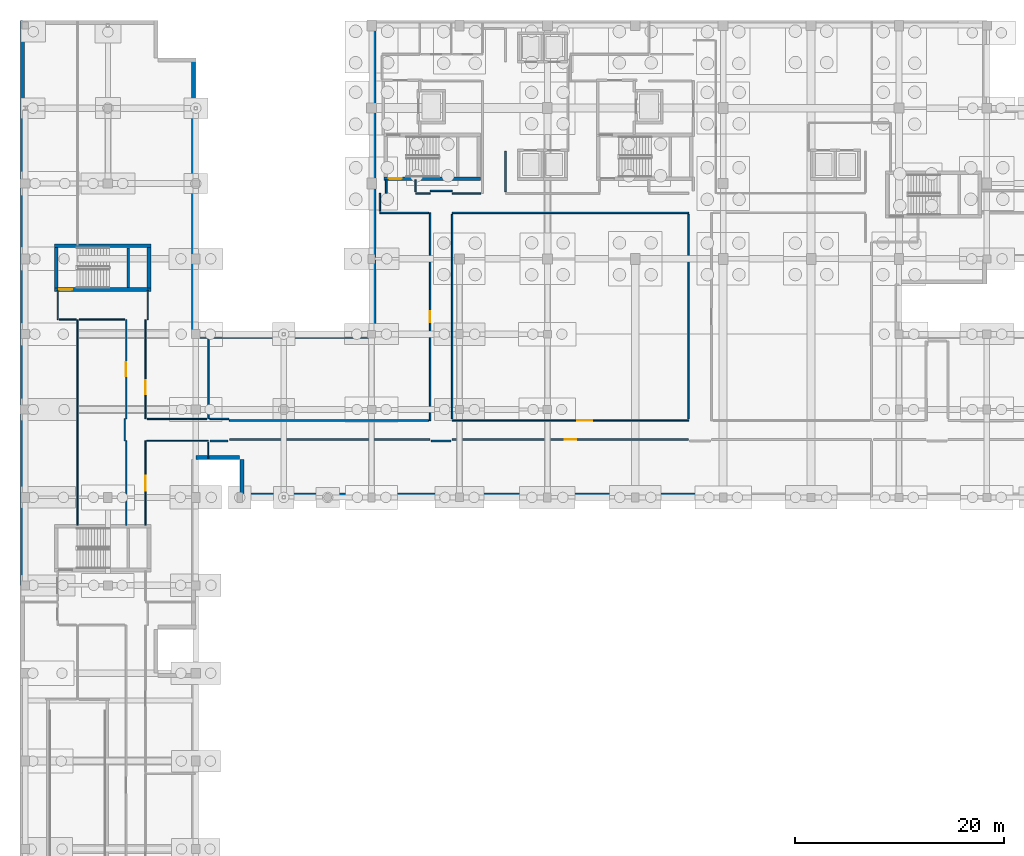
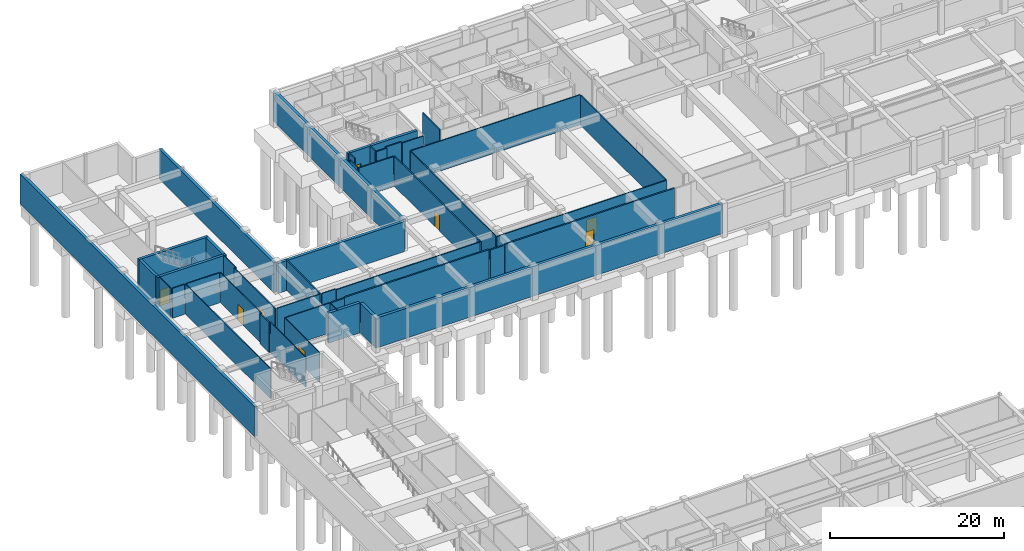
# One storey, part 29 of 42: 46 walls, 8 doors, 8 openings.
"""IFC4 building model written with IfcOpenShell, lengths in metres."""

from ifc_helpers import new_model, si_unit, direction, frame, frame_2d, origin, place, context, subcontext, project, spatial, rectangle, extrude, material, layer, layer_set, type_object, element, fill, save


model = new_model("IFC4")

# Units and contexts
model_context = context("Model", 3, precision=1e-05, world=origin(), true_north=direction((0.0, 1.0)))
body_context = subcontext(model_context, "Body", "Model", "MODEL_VIEW")
ifc_project = project(units=[si_unit("LENGTHUNIT", "METRE"), si_unit("AREAUNIT", "SQUARE_METRE"), si_unit("VOLUMEUNIT", "CUBIC_METRE"), si_unit("PLANEANGLEUNIT", "RADIAN"), si_unit("MASSUNIT", "GRAM", prefix="KILO")], contexts=[model_context])

# Site, building, storey
site_placement = place(None, origin())
site = spatial("IfcSite", under=ifc_project, at=site_placement, CompositionType="ELEMENT")
building_placement = place(site_placement, origin())
building = spatial("IfcBuilding", under=site, at=building_placement, Name="Quendrovan Civic Courthouse", CompositionType="ELEMENT")
storey_placement = place(building_placement, frame((0.0, 0.0, -4.5)))
storey = spatial("IfcBuildingStorey", under=building, at=storey_placement, Name="B1", CompositionType="ELEMENT", Elevation=-4.5)

# Walls
ifc_material_1 = material(Name="Concrete C35/45", Category="concrete")
ifc_layer_1 = layer(ifc_material_1, 0.3798828125, Name="Concrete C35/45")
ifc_layer_set_1 = layer_set([ifc_layer_1], Name="Concrete C35/45")
wall_type_1 = type_object("IfcWallType", Name="WL-BSM-RET380", PredefinedType="SOLIDWALL", material=ifc_layer_set_1)
wall_1_placement = place(storey_placement, frame((0.219970703125, 56.39990234375, 0.0), z_axis=(0.0, 0.0, 1.0), x_axis=(0.0, 1.0, 0.0)))
element("IfcWall", 1, at=wall_1_placement, inside=storey, type_object=wall_type_1, Name="B1 Perimeter Retaining Wall 001", PredefinedType="SOLIDWALL", context=body_context, shape_type="SweptSolid", body=[
    extrude(rectangle(XDim=54.0, YDim=0.3798828125, at=frame_2d((27.0, 0.0))), origin(), (0.0, 0.0, 1.0), 4.219970703125),
])
wall_2_placement = place(storey_placement, frame((16.590087890625, 106.800048828125, 0.0), z_axis=(0.0, 0.0, 1.0), x_axis=(0.0, -1.0, 0.0)))
element("IfcWall", 2, at=wall_2_placement, inside=storey, type_object=wall_type_1, Name="B1 Perimeter Retaining Wall 005", PredefinedType="SOLIDWALL", context=body_context, shape_type="SweptSolid", body=[
    extrude(rectangle(XDim=26.400146484375, YDim=0.3798828125, at=frame_2d((13.2001953125, 0.0))), origin(), (0.0, 0.0, 1.0), 4.219970703125),
])
wall_3_placement = place(storey_placement, frame((16.800048828125, 80.18994140625, 0.0), z_axis=(0.0, 0.0, 1.0), x_axis=(1.0, 0.0, 0.0)))
element("IfcWall", 3, at=wall_3_placement, inside=storey, type_object=wall_type_1, Name="B1 Perimeter Retaining Wall 006", PredefinedType="SOLIDWALL", context=body_context, shape_type="SweptSolid", body=[
    extrude(rectangle(XDim=16.800048828125, YDim=0.3798828125, at=frame_2d((8.39990234375, 0.0))), origin(), (0.0, 0.0, 1.0), 4.219970703125),
])
wall_4_placement = place(storey_placement, frame((33.81005859375, 80.39990234375, 0.0), z_axis=(0.0, 0.0, 1.0), x_axis=(0.0, 1.0, 0.0)))
element("IfcWall", 4, at=wall_4_placement, inside=storey, type_object=wall_type_1, Name="B1 Perimeter Retaining Wall 007", PredefinedType="SOLIDWALL", context=body_context, shape_type="SweptSolid", body=[
    extrude(rectangle(XDim=30.0, YDim=0.3798828125, at=frame_2d((15.0, 0.0))), origin(), (0.0, 0.0, 1.0), 4.219970703125),
])
wall_5_placement = place(storey_placement, frame((67.199951171875, 65.010009765625, 0.0), z_axis=(0.0, 0.0, 1.0), x_axis=(-1.0, 0.0, 0.0)))
element("IfcWall", 5, at=wall_5_placement, inside=storey, type_object=wall_type_1, Name="B1 Perimeter Retaining Wall 023", PredefinedType="SOLIDWALL", context=body_context, shape_type="SweptSolid", body=[
    extrude(rectangle(XDim=46.199951171875, YDim=0.3798828125, at=frame_2d((23.10009765625, 0.0))), origin(), (0.0, 0.0, 1.0), 4.219970703125),
])
wall_6_placement = place(storey_placement, frame((21.2099609375, 64.800048828125, 0.0), z_axis=(0.0, 0.0, 1.0), x_axis=(0.0, 1.0, 0.0)))
element("IfcWall", 6, at=wall_6_placement, inside=storey, type_object=wall_type_1, Name="B1 Perimeter Retaining Wall 024", PredefinedType="SOLIDWALL", context=body_context, shape_type="SweptSolid", body=[
    extrude(rectangle(XDim=3.599853515625, YDim=0.3798828125, at=frame_2d((1.7998046875, 0.0))), origin(), (0.0, 0.0, 1.0), 4.219970703125),
])
wall_7_placement = place(storey_placement, frame((21.0, 68.610107421875, 0.0), z_axis=(0.0, 0.0, 1.0), x_axis=(-1.0, 0.0, 0.0)))
element("IfcWall", 7, at=wall_7_placement, inside=storey, type_object=wall_type_1, Name="B1 Perimeter Retaining Wall 025", PredefinedType="SOLIDWALL", context=body_context, shape_type="SweptSolid", body=[
    extrude(rectangle(XDim=4.199951171875, YDim=0.3798828125, at=frame_2d((2.10009765625, 0.0))), origin(), (0.0, 0.0, 1.0), 4.219970703125),
])

# Wall, opening, door
ifc_material_2 = material(Name="Acoustic gypsum stud partition")
ifc_layer_2 = layer(ifc_material_2, 0.139892578125, Name="Acoustic gypsum stud partition")
ifc_layer_set_2 = layer_set([ifc_layer_2], Name="Acoustic gypsum stud partition")
wall_type_2 = type_object("IfcWallType", Name="WL-CHM-140", PredefinedType="PARTITIONING", material=ifc_layer_set_2)
wall_8_placement = place(storey_placement, frame((63.89990234375, 72.14990234375, 0.0), z_axis=(0.0, 0.0, 1.0), x_axis=(-1.0, 0.0, 0.0)))
wall_8 = element("IfcWall", 8, at=wall_8_placement, inside=storey, type_object=wall_type_2, Name="B1 Fire Pump and Reserve Tank Room 1 Partition 0012", PredefinedType="PARTITIONING", context=body_context, shape_type="SweptSolid", body=[
    extrude(rectangle(XDim=22.599853515625, YDim=0.139892578125, at=frame_2d((11.2998046875, 0.0))), origin(), (0.0, 0.0, 1.0), 4.219970703125),
])
opening_1_placement = place(wall_8_placement, frame((9.22412109375, 0.0, 0.0)))
opening_1 = element("IfcOpeningElement", 9, at=opening_1_placement, cuts=wall_8, Name="Opening D-B1-020", PredefinedType="OPENING", context=body_context, shape_type="SweptSolid", body=[
    extrude(rectangle(XDim=1.43994140625, YDim=2.340087890625, at=frame_2d((0.719970703125, 1.169921875))), frame((0.0, 0.080078125, 0.0), z_axis=(0.0, -1.0, 0.0), x_axis=(1.0, 0.0, 0.0)), (0.0, 0.0, 1.0), 0.159912109375),
])
ifc_material_3 = material(Name="Louvred fire-rated steel plant door", Category="steel")
door_type_1 = type_object("IfcDoorType", Name="DR-PLT-1440", OperationType="NOTDEFINED", PredefinedType="DOOR", material=ifc_material_3)
door_1_placement = place(opening_1_placement, origin())
door_1 = element("IfcDoor", 10, at=door_1_placement, inside=storey, type_object=door_type_1, Name="B1 Fire Pump and Reserve Tank Room 1 Door D-B1-020", OperationType="SINGLE_SWING_LEFT", OverallHeight=2.340087890625, OverallWidth=1.43994140625, PredefinedType="DOOR", context=body_context, shape_type="SweptSolid", body=[
    extrude(rectangle(XDim=1.43994140625, YDim=2.340087890625, at=frame_2d((0.719970703125, 1.169921875))), frame((0.0, 0.02490234375, 0.0), z_axis=(0.0, -1.0, 0.0), x_axis=(1.0, 0.0, 0.0)), (0.0, 0.0, 1.0), 0.050048828125),
])
fill(opening_1, door_1)

# Walls
wall_9_placement = place(storey_placement, frame((41.300048828125, 92.0, 0.0), z_axis=(0.0, 0.0, 1.0), x_axis=(1.0, 0.0, 0.0)))
element("IfcWall", 11, at=wall_9_placement, inside=storey, type_object=wall_type_2, Name="B1 Fire Pump and Reserve Tank Room 1 Partition 0013", PredefinedType="PARTITIONING", context=body_context, shape_type="SweptSolid", body=[
    extrude(rectangle(XDim=22.599853515625, YDim=0.139892578125, at=frame_2d((11.2998046875, 0.0))), origin(), (0.0, 0.0, 1.0), 4.219970703125),
])
for number, where, z_axis, x_axis, name in (
    (12, (63.89990234375, 91.85009765625, 0.0), (0.0, 0.0, 1.0), (0.0, -1.0, 0.0), "B1 Fire Pump and Reserve Tank Room 1 Partition 0016"),
    (13, (41.300048828125, 72.300048828125, 0.0), (0.0, 0.0, 1.0), (0.0, 1.0, 0.0), "B1 Fire Pump and Reserve Tank Room 1 Partition 0017"),
):
    element("IfcWall", number, at=place(storey_placement, frame(where, z_axis=z_axis, x_axis=x_axis)), inside=storey, type_object=wall_type_2, Name=name, PredefinedType="PARTITIONING", context=body_context, shape_type="SweptSolid", body=[
        extrude(rectangle(XDim=19.550048828125, YDim=0.139892578125, at=frame_2d((9.77490234375, 0.0))), origin(), (0.0, 0.0, 1.0), 4.219970703125),
    ])

# Wall, opening, door
ifc_material_4 = material(Name="Concrete C45/55", Category="concrete")
ifc_layer_3 = layer(ifc_material_4, 0.35009765625, Name="Concrete C45/55")
ifc_layer_set_3 = layer_set([ifc_layer_3], Name="Concrete C45/55")
wall_type_3 = type_object("IfcWallType", Name="WL-CORE-350", PredefinedType="SHEAR", material=ifc_layer_set_3)
wall_10_placement = place(storey_placement, frame((34.7900390625, 95.264892578125, 0.0), z_axis=(0.0, 0.0, 1.0), x_axis=(1.0, 0.0, 0.0)))
wall_10 = element("IfcWall", 14, at=wall_10_placement, inside=storey, type_object=wall_type_3, Name="B1 Core Shear Wall ST1-S", PredefinedType="SHEAR", context=body_context, shape_type="SweptSolid", body=[
    extrude(rectangle(XDim=9.219970703125, YDim=0.35009765625, at=frame_2d((4.60986328125, 0.0))), origin(), (0.0, 0.0, 1.0), 4.219970703125),
])
opening_2_placement = place(wall_10_placement, frame((0.449951171875, 0.0, 0.0)))
opening_2 = element("IfcOpeningElement", 15, at=opening_2_placement, cuts=wall_10, Name="Opening DS-ST1-B1", PredefinedType="OPENING", context=body_context, shape_type="SweptSolid", body=[
    extrude(rectangle(XDim=1.25, YDim=2.199951171875, at=frame_2d((0.625, 1.10009765625))), frame((0.0, 0.18505859375, 0.0), z_axis=(0.0, -1.0, 0.0), x_axis=(1.0, 0.0, 0.0)), (0.0, 0.0, 1.0), 0.3701171875),
])
ifc_material_5 = material(Name="Painted galvanized hollow-metal steel", Category="steel")
door_type_2 = type_object("IfcDoorType", Name="DR-STAIR-1250", OperationType="NOTDEFINED", PredefinedType="DOOR", material=ifc_material_5)
door_2_placement = place(opening_2_placement, origin())
door_2 = element("IfcDoor", 16, at=door_2_placement, inside=storey, type_object=door_type_2, Name="B1 Exit Stair ST1 Fire Door", OperationType="SINGLE_SWING_RIGHT", OverallHeight=2.199951171875, OverallWidth=1.25, PredefinedType="DOOR", context=body_context, shape_type="SweptSolid", body=[
    extrude(rectangle(XDim=1.25, YDim=2.199951171875, at=frame_2d((0.625, 1.10009765625))), frame((0.0, 0.02490234375, 0.0), z_axis=(0.0, -1.0, 0.0), x_axis=(1.0, 0.0, 0.0)), (0.0, 0.0, 1.0), 0.050048828125),
])
fill(opening_2, door_2)

wall_11_placement = place(storey_placement, frame((3.2900390625, 84.6650390625, 0.0), z_axis=(0.0, 0.0, 1.0), x_axis=(1.0, 0.0, 0.0)))
wall_11 = element("IfcWall", 17, at=wall_11_placement, inside=storey, type_object=wall_type_3, Name="B1 Core Shear Wall ST8-S", PredefinedType="SHEAR", context=body_context, shape_type="SweptSolid", body=[
    extrude(rectangle(XDim=9.219970703125, YDim=0.35009765625, at=frame_2d((4.60986328125, 0.0))), origin(), (0.0, 0.0, 1.0), 4.219970703125),
])
opening_3_placement = place(wall_11_placement, frame((0.449951171875, 0.0, 0.0)))
opening_3 = element("IfcOpeningElement", 18, at=opening_3_placement, cuts=wall_11, Name="Opening DS-ST8-B1", PredefinedType="OPENING", context=body_context, shape_type="SweptSolid", body=[
    extrude(rectangle(XDim=1.25, YDim=2.199951171875, at=frame_2d((0.625, 1.10009765625))), frame((0.0, 0.18505859375, 0.0), z_axis=(0.0, -1.0, 0.0), x_axis=(1.0, 0.0, 0.0)), (0.0, 0.0, 1.0), 0.3701171875),
])
door_3_placement = place(opening_3_placement, origin())
door_3 = element("IfcDoor", 19, at=door_3_placement, inside=storey, type_object=door_type_2, Name="B1 Exit Stair ST8 Fire Door", OperationType="SINGLE_SWING_LEFT", OverallHeight=2.199951171875, OverallWidth=1.25, PredefinedType="DOOR", context=body_context, shape_type="SweptSolid", body=[
    extrude(rectangle(XDim=1.25, YDim=2.199951171875, at=frame_2d((0.625, 1.10009765625))), frame((0.0, 0.02490234375, 0.0), z_axis=(0.0, -1.0, 0.0), x_axis=(1.0, 0.0, 0.0)), (0.0, 0.0, 1.0), 0.050048828125),
])
fill(opening_3, door_3)

# Walls
wall_12_placement = place(storey_placement, frame((12.510009765625, 88.8349609375, 0.0), z_axis=(0.0, 0.0, 1.0), x_axis=(-1.0, 0.0, 0.0)))
element("IfcWall", 20, at=wall_12_placement, inside=storey, type_object=wall_type_3, Name="B1 Core Shear Wall ST8-N", PredefinedType="SHEAR", context=body_context, shape_type="SweptSolid", body=[
    extrude(rectangle(XDim=9.219970703125, YDim=0.35009765625, at=frame_2d((4.60986328125, 0.0))), origin(), (0.0, 0.0, 1.0), 4.219970703125),
])
for number, where, z_axis, x_axis, name in (
    (21, (3.465087890625, 84.800048828125, 0.0), (0.0, 0.0, 1.0), (0.0, 1.0, 0.0), "B1 Core Shear Wall ST8-W"),
    (22, (12.3349609375, 88.699951171875, 0.0), (0.0, 0.0, 1.0), (0.0, -1.0, 0.0), "B1 Core Shear Wall ST8-E"),
):
    element("IfcWall", number, at=place(storey_placement, frame(where, z_axis=z_axis, x_axis=x_axis)), inside=storey, type_object=wall_type_3, Name=name, PredefinedType="SHEAR", context=body_context, shape_type="SweptSolid", body=[
        extrude(rectangle(XDim=3.89990234375, YDim=0.35009765625, at=frame_2d((1.949951171875, 0.0))), origin(), (0.0, 0.0, 1.0), 4.219970703125),
    ])

# Wall, opening, door
ifc_material_6 = material(Name="Concrete C40/50", Category="concrete")
ifc_layer_4 = layer(ifc_material_6, 0.199951171875, Name="Concrete C40/50")
ifc_layer_set_4 = layer_set([ifc_layer_4], Name="Concrete C40/50")
wall_type_4 = type_object("IfcWallType", Name="WL-CUST-200", PredefinedType="PARTITIONING", material=ifc_layer_set_4)
wall_13_placement = place(storey_placement, frame((41.300048828125, 70.35009765625, 0.0), z_axis=(0.0, 0.0, 1.0), x_axis=(1.0, 0.0, 0.0)))
wall_13 = element("IfcWall", 23, at=wall_13_placement, inside=storey, type_object=wall_type_4, Name="B1 Judicial Case Docket and Court Record Vault 1 Partition 0011", PredefinedType="PARTITIONING", context=body_context, shape_type="SweptSolid", body=[
    extrude(rectangle(XDim=22.599853515625, YDim=0.199951171875, at=frame_2d((11.2998046875, 0.0))), origin(), (0.0, 0.0, 1.0), 4.219970703125),
])
opening_4_placement = place(wall_13_placement, frame((10.739990234375, 0.0, 0.0)))
opening_4 = element("IfcOpeningElement", 24, at=opening_4_placement, cuts=wall_13, Name="Opening D-B1-017", PredefinedType="OPENING", context=body_context, shape_type="SweptSolid", body=[
    extrude(rectangle(XDim=1.1201171875, YDim=2.14990234375, at=frame_2d((0.56005859375, 1.074951171875))), frame((0.0, 0.10986328125, 0.0), z_axis=(0.0, -1.0, 0.0), x_axis=(1.0, 0.0, 0.0)), (0.0, 0.0, 1.0), 0.219970703125),
])
ifc_material_7 = material(Name="Heavy-gauge security steel door", Category="steel")
door_type_3 = type_object("IfcDoorType", Name="DR-CUST-1120", OperationType="NOTDEFINED", PredefinedType="DOOR", material=ifc_material_7)
door_4_placement = place(opening_4_placement, origin())
door_4 = element("IfcDoor", 25, at=door_4_placement, inside=storey, type_object=door_type_3, Name="B1 Judicial Case Docket and Court Record Vault 1 Door D-B1-017", OperationType="SINGLE_SWING_RIGHT", OverallHeight=2.14990234375, OverallWidth=1.1201171875, PredefinedType="DOOR", context=body_context, shape_type="SweptSolid", body=[
    extrude(rectangle(XDim=1.1201171875, YDim=2.14990234375, at=frame_2d((0.56005859375, 1.074951171875))), frame((0.0, 0.02490234375, 0.0), z_axis=(0.0, -1.0, 0.0), x_axis=(1.0, 0.0, 0.0)), (0.0, 0.0, 1.0), 0.050048828125),
])
fill(opening_4, door_4)

# Walls
wall_14_placement = place(storey_placement, frame((20.0, 70.35009765625, 0.0), z_axis=(0.0, 0.0, 1.0), x_axis=(1.0, 0.0, 0.0)))
element("IfcWall", 26, at=wall_14_placement, inside=storey, type_object=wall_type_4, Name="B1 Judicial Case Docket and Court Record Vault 1 Partition 0021", PredefinedType="PARTITIONING", context=body_context, shape_type="SweptSolid", body=[
    extrude(rectangle(XDim=19.199951171875, YDim=0.199951171875, at=frame_2d((9.60009765625, 0.0))), origin(), (0.0, 0.0, 1.0), 4.219970703125),
])
wall_15_placement = place(storey_placement, frame((39.29931640625, 70.199951171875, 0.0), z_axis=(0.0, 0.0, 1.0), x_axis=(1.0, 0.0, 0.0)))
element("IfcWall", 27, at=wall_15_placement, inside=storey, type_object=wall_type_4, Name="B1 Judicial Case Docket and Court Record Vault 1 Partition 0132", PredefinedType="PARTITIONING", context=body_context, shape_type="SweptSolid", body=[
    extrude(rectangle(XDim=1.9013671875, YDim=0.199951171875, at=frame_2d((0.95068359375, 0.0))), origin(), (0.0, 0.0, 1.0), 4.219970703125),
])
wall_16_placement = place(storey_placement, frame((18.135009765625, 70.199951171875, 0.0), z_axis=(0.0, 0.0, 1.0), x_axis=(1.0, 0.0, 0.0)))
element("IfcWall", 28, at=wall_16_placement, inside=storey, type_object=wall_type_4, Name="B1 Judicial Case Docket and Court Record Vault 1 Partition 0135", PredefinedType="PARTITIONING", context=body_context, shape_type="SweptSolid", body=[
    extrude(rectangle(XDim=1.765625, YDim=0.199951171875, at=frame_2d((0.8828125, 0.0))), origin(), (0.0, 0.0, 1.0), 4.219970703125),
])

# Wall, opening, door
ifc_layer_5 = layer(ifc_material_2, 0.14990234375, Name="Acoustic gypsum stud partition")
ifc_layer_set_5 = layer_set([ifc_layer_5], Name="Acoustic gypsum stud partition")
wall_type_5 = type_object("IfcWallType", Name="WL-JURY-150", PredefinedType="PARTITIONING", material=ifc_layer_set_5)
wall_17_placement = place(storey_placement, frame((39.199951171875, 92.0, 0.0), z_axis=(0.0, 0.0, 1.0), x_axis=(0.0, -1.0, 0.0)))
wall_17 = element("IfcWall", 29, at=wall_17_placement, inside=storey, type_object=wall_type_5, Name="B1 Courthouse Facilities and Maintenance Store Partition 0015", PredefinedType="PARTITIONING", context=body_context, shape_type="SweptSolid", body=[
    extrude(rectangle(XDim=19.85009765625, YDim=0.14990234375, at=frame_2d((9.925048828125, 0.0))), origin(), (0.0, 0.0, 1.0), 4.219970703125),
])
opening_5_placement = place(wall_17_placement, frame((9.405029296875, 0.0, 0.0)))
opening_5 = element("IfcOpeningElement", 30, at=opening_5_placement, cuts=wall_17, Name="Opening D-B1-019", PredefinedType="OPENING", context=body_context, shape_type="SweptSolid", body=[
    extrude(rectangle(XDim=1.0400390625, YDim=2.260009765625, at=frame_2d((0.52001953125, 1.1298828125))), frame((0.0, 0.0849609375, 0.0), z_axis=(0.0, -1.0, 0.0), x_axis=(1.0, 0.0, 0.0)), (0.0, 0.0, 1.0), 0.169921875),
])
ifc_material_8 = material(Name="Solid Western Red Cedar timber door", Category="wood")
door_type_4 = type_object("IfcDoorType", Name="DR-CHM-1040", OperationType="NOTDEFINED", PredefinedType="DOOR", material=ifc_material_8)
door_5_placement = place(opening_5_placement, origin())
door_5 = element("IfcDoor", 31, at=door_5_placement, inside=storey, type_object=door_type_4, Name="B1 Courthouse Facilities and Maintenance Store Door D-B1-019", OperationType="SINGLE_SWING_RIGHT", OverallHeight=2.260009765625, OverallWidth=1.0400390625, PredefinedType="DOOR", context=body_context, shape_type="SweptSolid", body=[
    extrude(rectangle(XDim=1.0400390625, YDim=2.260009765625, at=frame_2d((0.52001953125, 1.1298828125))), frame((0.0, 0.02490234375, 0.0), z_axis=(0.0, -1.0, 0.0), x_axis=(1.0, 0.0, 0.0)), (0.0, 0.0, 1.0), 0.050048828125),
])
fill(opening_5, door_5)

# Walls
wall_18_placement = place(storey_placement, frame((39.044921875, 72.14990234375, 0.0), z_axis=(0.0, 0.0, 1.0), x_axis=(-1.0, 0.0, 0.0)))
element("IfcWall", 32, at=wall_18_placement, inside=storey, type_object=wall_type_5, Name="B1 Courthouse Facilities and Maintenance Store Partition 0022", PredefinedType="PARTITIONING", context=body_context, shape_type="SweptSolid", body=[
    extrude(rectangle(XDim=19.044921875, YDim=0.14990234375, at=frame_2d((9.5224609375, 0.0))), origin(), (0.0, 0.0, 1.0), 4.219970703125),
])
wall_19_placement = place(storey_placement, frame((18.0, 72.300048828125, 0.0), z_axis=(0.0, 0.0, 1.0), x_axis=(0.0, 1.0, 0.0)))
element("IfcWall", 33, at=wall_19_placement, inside=storey, type_object=wall_type_5, Name="B1 Courthouse Facilities and Maintenance Store Partition 0052", PredefinedType="PARTITIONING", context=body_context, shape_type="SweptSolid", body=[
    extrude(rectangle(XDim=8.0400390625, YDim=0.14990234375, at=frame_2d((4.02001953125, 0.0))), origin(), (0.0, 0.0, 1.0), 4.219970703125),
])
wall_20_placement = place(storey_placement, frame((34.39990234375, 92.0, 0.0), z_axis=(0.0, 0.0, 1.0), x_axis=(1.0, 0.0, 0.0)))
element("IfcWall", 34, at=wall_20_placement, inside=storey, type_object=wall_type_5, Name="B1 Courthouse Facilities and Maintenance Store Partition 0070", PredefinedType="PARTITIONING", context=body_context, shape_type="SweptSolid", body=[
    extrude(rectangle(XDim=4.64501953125, YDim=0.14990234375, at=frame_2d((2.322509765625, 0.0))), origin(), (0.0, 0.0, 1.0), 4.219970703125),
])
wall_21_placement = place(storey_placement, frame((46.39990234375, 94.0048828125, 0.0), z_axis=(0.0, 0.0, 1.0), x_axis=(0.0, 1.0, 0.0)))
element("IfcWall", 35, at=wall_21_placement, inside=storey, type_object=wall_type_5, Name="B1 Courthouse Facilities and Maintenance Store Partition 0085", PredefinedType="PARTITIONING", context=body_context, shape_type="SweptSolid", body=[
    extrude(rectangle(XDim=3.89501953125, YDim=0.14990234375, at=frame_2d((1.947509765625, 0.0))), origin(), (0.0, 0.0, 1.0), 4.219970703125),
])
wall_22_placement = place(storey_placement, frame((44.044921875, 93.85009765625, 0.0), z_axis=(0.0, 0.0, 1.0), x_axis=(-1.0, 0.0, 0.0)))
element("IfcWall", 36, at=wall_22_placement, inside=storey, type_object=wall_type_5, Name="B1 Courthouse Facilities and Maintenance Store Partition 0104", PredefinedType="PARTITIONING", context=body_context, shape_type="SweptSolid", body=[
    extrude(rectangle(XDim=2.744873046875, YDim=0.14990234375, at=frame_2d((1.37255859375, 0.0))), origin(), (0.0, 0.0, 1.0), 4.219970703125),
])
wall_23_placement = place(storey_placement, frame((41.300048828125, 94.10009765625, 0.0), z_axis=(0.0, 0.0, 1.0), x_axis=(-1.0, 0.0, 0.0)))
element("IfcWall", 37, at=wall_23_placement, inside=storey, type_object=wall_type_5, Name="B1 Courthouse Facilities and Maintenance Store Partition 0133", PredefinedType="PARTITIONING", context=body_context, shape_type="SweptSolid", body=[
    extrude(rectangle(XDim=2.10009765625, YDim=0.14990234375, at=frame_2d((1.050048828125, 0.0))), origin(), (0.0, 0.0, 1.0), 4.219970703125),
])
wall_24_placement = place(storey_placement, frame((19.961669921875, 72.300048828125, 0.0), z_axis=(0.0, 0.0, 1.0), x_axis=(-1.0, 0.0, 0.0)))
element("IfcWall", 38, at=wall_24_placement, inside=storey, type_object=wall_type_5, Name="B1 Courthouse Facilities and Maintenance Store Partition 0136", PredefinedType="PARTITIONING", context=body_context, shape_type="SweptSolid", body=[
    extrude(rectangle(XDim=1.806640625, YDim=0.14990234375, at=frame_2d((0.9033203125, 0.0))), origin(), (0.0, 0.0, 1.0), 4.219970703125),
])
wall_25_placement = place(storey_placement, frame((34.39990234375, 93.85009765625, 0.0), z_axis=(0.0, 0.0, 1.0), x_axis=(0.0, -1.0, 0.0)))
element("IfcWall", 39, at=wall_25_placement, inside=storey, type_object=wall_type_5, Name="B1 Courthouse Facilities and Maintenance Store Partition 0142", PredefinedType="PARTITIONING", context=body_context, shape_type="SweptSolid", body=[
    extrude(rectangle(XDim=1.695068359375, YDim=0.14990234375, at=frame_2d((0.84765625, 0.0))), origin(), (0.0, 0.0, 1.0), 4.219970703125),
])
wall_26_placement = place(storey_placement, frame((39.199951171875, 93.85009765625, 0.0), z_axis=(0.0, 0.0, 1.0), x_axis=(-1.0, 0.0, 0.0)))
element("IfcWall", 40, at=wall_26_placement, inside=storey, type_object=wall_type_5, Name="B1 Courthouse Facilities and Maintenance Store Partition 0149", PredefinedType="PARTITIONING", context=body_context, shape_type="SweptSolid", body=[
    extrude(rectangle(XDim=1.39990234375, YDim=0.14990234375, at=frame_2d((0.699951171875, 0.0))), origin(), (0.0, 0.0, 1.0), 4.219970703125),
])
wall_27_placement = place(storey_placement, frame((37.800048828125, 94.0048828125, 0.0), z_axis=(0.0, 0.0, 1.0), x_axis=(0.0, 1.0, 0.0)))
element("IfcWall", 41, at=wall_27_placement, inside=storey, type_object=wall_type_5, Name="B1 Courthouse Facilities and Maintenance Store Partition 0151", PredefinedType="PARTITIONING", context=body_context, shape_type="SweptSolid", body=[
    extrude(rectangle(XDim=1.175048828125, YDim=0.14990234375, at=frame_2d((0.58740234375, 0.0))), origin(), (0.0, 0.0, 1.0), 4.219970703125),
])
wall_28_placement = place(storey_placement, frame((35.0, 95.179931640625, 0.0), z_axis=(0.0, 0.0, 1.0), x_axis=(0.0, -1.0, 0.0)))
element("IfcWall", 42, at=wall_28_placement, inside=storey, type_object=wall_type_5, Name="B1 Courthouse Facilities and Maintenance Store Partition 0152", PredefinedType="PARTITIONING", context=body_context, shape_type="SweptSolid", body=[
    extrude(rectangle(XDim=1.329833984375, YDim=0.14990234375, at=frame_2d((0.6650390625, 0.0))), origin(), (0.0, 0.0, 1.0), 4.219970703125),
])
ifc_material_9 = material(Name="Acoustic glazed-head stud partition")
ifc_layer_6 = layer(ifc_material_9, 0.1201171875, Name="Acoustic glazed-head stud partition")
ifc_layer_set_6 = layer_set([ifc_layer_6], Name="Acoustic glazed-head stud partition")
wall_type_6 = type_object("IfcWallType", Name="WL-LIB-120", PredefinedType="PARTITIONING", material=ifc_layer_set_6)
wall_29_placement = place(storey_placement, frame((5.5, 81.800048828125, 0.0), z_axis=(0.0, 0.0, 1.0), x_axis=(0.0, -1.0, 0.0)))
element("IfcWall", 43, at=wall_29_placement, inside=storey, type_object=wall_type_6, Name="B1 Rainwater Cistern and Water Treatment Room 2 Partition 0019", PredefinedType="PARTITIONING", context=body_context, shape_type="SweptSolid", body=[
    extrude(rectangle(XDim=19.679931640625, YDim=0.1201171875, at=frame_2d((9.83984375, 0.0))), origin(), (0.0, 0.0, 1.0), 4.219970703125),
])

# Wall, opening, door
wall_30_placement = place(storey_placement, frame((10.14990234375, 81.800048828125, 0.0), z_axis=(0.0, 0.0, 1.0), x_axis=(0.0, -1.0, 0.0)))
wall_30 = element("IfcWall", 44, at=wall_30_placement, inside=storey, type_object=wall_type_6, Name="B1 Basement Legal Evidence Archive Store 3 Partition 0042", PredefinedType="PARTITIONING", context=body_context, shape_type="SweptSolid", body=[
    extrude(rectangle(XDim=9.5, YDim=0.1201171875, at=frame_2d((4.75, 0.0))), origin(), (0.0, 0.0, 1.0), 4.219970703125),
])
opening_6_placement = place(wall_30_placement, frame((4.090087890625, 0.0, 0.0)))
opening_6 = element("IfcOpeningElement", 45, at=opening_6_placement, cuts=wall_30, Name="Opening D-B1-016", PredefinedType="OPENING", context=body_context, shape_type="SweptSolid", body=[
    extrude(rectangle(XDim=1.320068359375, YDim=2.239990234375, at=frame_2d((0.66015625, 1.1201171875))), frame((0.0, 0.070068359375, 0.0), z_axis=(0.0, -1.0, 0.0), x_axis=(1.0, 0.0, 0.0)), (0.0, 0.0, 1.0), 0.14013671875),
])
ifc_material_10 = material(Name="Painted fire-rated steel archive door", Category="steel")
door_type_5 = type_object("IfcDoorType", Name="DR-ARC-1320", OperationType="NOTDEFINED", PredefinedType="DOOR", material=ifc_material_10)
door_6_placement = place(opening_6_placement, origin())
door_6 = element("IfcDoor", 46, at=door_6_placement, inside=storey, type_object=door_type_5, Name="B1 Basement Legal Evidence Archive Store 3 Door D-B1-016", OperationType="SINGLE_SWING_LEFT", OverallHeight=2.239990234375, OverallWidth=1.320068359375, PredefinedType="DOOR", context=body_context, shape_type="SweptSolid", body=[
    extrude(rectangle(XDim=1.320068359375, YDim=2.239990234375, at=frame_2d((0.66015625, 1.1201171875))), frame((0.0, 0.02490234375, 0.0), z_axis=(0.0, -1.0, 0.0), x_axis=(1.0, 0.0, 0.0)), (0.0, 0.0, 1.0), 0.050048828125),
])
fill(opening_6, door_6)

wall_31_placement = place(storey_placement, frame((12.0, 72.300048828125, 0.0), z_axis=(0.0, 0.0, 1.0), x_axis=(0.0, 1.0, 0.0)))
wall_31 = element("IfcWall", 47, at=wall_31_placement, inside=storey, type_object=wall_type_6, Name="B1 Judicial Legal Evidence Archive 3 Partition 0043", PredefinedType="PARTITIONING", context=body_context, shape_type="SweptSolid", body=[
    extrude(rectangle(XDim=9.5, YDim=0.1201171875, at=frame_2d((4.75, 0.0))), origin(), (0.0, 0.0, 1.0), 4.219970703125),
])
opening_7_placement = place(wall_31_placement, frame((2.3798828125, 0.0, 0.0)))
opening_7 = element("IfcOpeningElement", 48, at=opening_7_placement, cuts=wall_31, Name="Opening D-B1-022", PredefinedType="OPENING", context=body_context, shape_type="SweptSolid", body=[
    extrude(rectangle(XDim=1.320068359375, YDim=2.239990234375, at=frame_2d((0.66015625, 1.1201171875))), frame((0.0, 0.070068359375, 0.0), z_axis=(0.0, -1.0, 0.0), x_axis=(1.0, 0.0, 0.0)), (0.0, 0.0, 1.0), 0.14013671875),
])
door_7_placement = place(opening_7_placement, origin())
door_7 = element("IfcDoor", 49, at=door_7_placement, inside=storey, type_object=door_type_5, Name="B1 Judicial Legal Evidence Archive 3 Door D-B1-022", OperationType="SINGLE_SWING_LEFT", OverallHeight=2.239990234375, OverallWidth=1.320068359375, PredefinedType="DOOR", context=body_context, shape_type="SweptSolid", body=[
    extrude(rectangle(XDim=1.320068359375, YDim=2.239990234375, at=frame_2d((0.66015625, 1.1201171875))), frame((0.0, 0.02490234375, 0.0), z_axis=(0.0, -1.0, 0.0), x_axis=(1.0, 0.0, 0.0)), (0.0, 0.0, 1.0), 0.050048828125),
])
fill(opening_7, door_7)

# Walls
wall_32_placement = place(storey_placement, frame((10.14990234375, 70.199951171875, 0.0), z_axis=(0.0, 0.0, 1.0), x_axis=(0.0, -1.0, 0.0)))
element("IfcWall", 50, at=wall_32_placement, inside=storey, type_object=wall_type_6, Name="B1 Basement Legal Evidence Archive Store 3 Partition 0051", PredefinedType="PARTITIONING", context=body_context, shape_type="SweptSolid", body=[
    extrude(rectangle(XDim=8.079833984375, YDim=0.1201171875, at=frame_2d((4.0400390625, 0.0))), origin(), (0.0, 0.0, 1.0), 4.219970703125),
])
wall_33_placement = place(storey_placement, frame((17.844970703125, 72.300048828125, 0.0), z_axis=(0.0, 0.0, 1.0), x_axis=(-1.0, 0.0, 0.0)))
element("IfcWall", 51, at=wall_33_placement, inside=storey, type_object=wall_type_6, Name="B1 Judicial Legal Evidence Archive 3 Partition 0063", PredefinedType="PARTITIONING", context=body_context, shape_type="SweptSolid", body=[
    extrude(rectangle(XDim=5.705078125, YDim=0.1201171875, at=frame_2d((2.8525390625, 0.0))), origin(), (0.0, 0.0, 1.0), 4.219970703125),
])
wall_34_placement = place(storey_placement, frame((5.639892578125, 81.800048828125, 0.0), z_axis=(0.0, 0.0, 1.0), x_axis=(1.0, 0.0, 0.0)))
element("IfcWall", 52, at=wall_34_placement, inside=storey, type_object=wall_type_6, Name="B1 Basement Legal Evidence Archive Store 3 Partition 0079", PredefinedType="PARTITIONING", context=body_context, shape_type="SweptSolid", body=[
    extrude(rectangle(XDim=4.3701171875, YDim=0.1201171875, at=frame_2d((2.18505859375, 0.0))), origin(), (0.0, 0.0, 1.0), 4.219970703125),
])
for number, where, z_axis, x_axis, name in (
    (53, (3.60009765625, 84.580078125, 0.0), (0.0, 0.0, 1.0), (0.0, -1.0, 0.0), "B1 Rainwater Cistern and Water Treatment Room 2 Partition 0112"),
    (54, (12.199951171875, 81.800048828125, 0.0), (0.0, 0.0, 1.0), (0.0, 1.0, 0.0), "B1 Judicial Legal Evidence Archive 3 Partition 0113"),
):
    element("IfcWall", number, at=place(storey_placement, frame(where, z_axis=z_axis, x_axis=x_axis)), inside=storey, type_object=wall_type_6, Name=name, PredefinedType="PARTITIONING", context=body_context, shape_type="SweptSolid", body=[
        extrude(rectangle(XDim=2.780029296875, YDim=0.1201171875, at=frame_2d((1.39013671875, 0.0))), origin(), (0.0, 0.0, 1.0), 4.219970703125),
    ])
wall_35_placement = place(storey_placement, frame((10.0, 72.300048828125, 0.0), z_axis=(0.0, 0.0, 1.0), x_axis=(0.0, -1.0, 0.0)))
element("IfcWall", 55, at=wall_35_placement, inside=storey, type_object=wall_type_6, Name="B1 Basement Legal Evidence Archive Store 3 Partition 0131", PredefinedType="PARTITIONING", context=body_context, shape_type="SweptSolid", body=[
    extrude(rectangle(XDim=2.10009765625, YDim=0.1201171875, at=frame_2d((1.050048828125, 0.0))), origin(), (0.0, 0.0, 1.0), 4.219970703125),
])
wall_36_placement = place(storey_placement, frame((3.739990234375, 81.800048828125, 0.0), z_axis=(0.0, 0.0, 1.0), x_axis=(1.0, 0.0, 0.0)))
element("IfcWall", 56, at=wall_36_placement, inside=storey, type_object=wall_type_6, Name="B1 Rainwater Cistern and Water Treatment Room 2 Partition 0139", PredefinedType="PARTITIONING", context=body_context, shape_type="SweptSolid", body=[
    extrude(rectangle(XDim=1.6201171875, YDim=0.1201171875, at=frame_2d((0.81005859375, 0.0))), origin(), (0.0, 0.0, 1.0), 4.219970703125),
])
ifc_layer_7 = layer(ifc_material_4, 0.25, Name="Concrete C45/55")
ifc_layer_set_7 = layer_set([ifc_layer_7], Name="Concrete C45/55")
wall_type_7 = type_object("IfcWallType", Name="WL-SHAFT-250", PredefinedType="SHEAR", material=ifc_layer_set_7)
wall_37_placement = place(storey_placement, frame((10.35009765625, 84.85009765625, 0.0), z_axis=(0.0, 0.0, 1.0), x_axis=(0.0, 1.0, 0.0)))
element("IfcWall", 57, at=wall_37_placement, inside=storey, type_object=wall_type_7, Name="B1 Stair ST8 Mid-Landing Bearing Wall", PredefinedType="SHEAR", context=body_context, shape_type="SweptSolid", body=[
    extrude(rectangle(XDim=3.7998046875, YDim=0.25, at=frame_2d((1.89990234375, 0.0))), origin(), (0.0, 0.0, 1.0), 2.070068359375),
])

# Wall, opening, door
ifc_material_11 = material(Name="Moisture-resistant tile-backer partition")
ifc_layer_8 = layer(ifc_material_11, 0.110107421875, Name="Moisture-resistant tile-backer partition")
ifc_layer_set_8 = layer_set([ifc_layer_8], Name="Moisture-resistant tile-backer partition")
wall_type_8 = type_object("IfcWallType", Name="WL-WET-110", PredefinedType="PARTITIONING", material=ifc_layer_set_8)
wall_38_placement = place(storey_placement, frame((12.0, 62.1201171875, 0.0), z_axis=(0.0, 0.0, 1.0), x_axis=(0.0, 1.0, 0.0)))
wall_38 = element("IfcWall", 58, at=wall_38_placement, inside=storey, type_object=wall_type_8, Name="B1 Rainwater Cistern and Water Treatment Room 3 Partition 0050", PredefinedType="PARTITIONING", context=body_context, shape_type="SweptSolid", body=[
    extrude(rectangle(XDim=8.079833984375, YDim=0.110107421875, at=frame_2d((4.0400390625, 0.0))), origin(), (0.0, 0.0, 1.0), 4.219970703125),
])
opening_8_placement = place(wall_38_placement, frame((3.320068359375, 0.0, 0.0)))
opening_8 = element("IfcOpeningElement", 59, at=opening_8_placement, cuts=wall_38, Name="Opening D-B1-015", PredefinedType="OPENING", context=body_context, shape_type="SweptSolid", body=[
    extrude(rectangle(XDim=1.43994140625, YDim=2.340087890625, at=frame_2d((0.719970703125, 1.169921875))), frame((0.0, 0.06494140625, 0.0), z_axis=(0.0, -1.0, 0.0), x_axis=(1.0, 0.0, 0.0)), (0.0, 0.0, 1.0), 0.130126953125),
])
door_8_placement = place(opening_8_placement, origin())
door_8 = element("IfcDoor", 60, at=door_8_placement, inside=storey, type_object=door_type_1, Name="B1 Rainwater Cistern and Water Treatment Room 3 Door D-B1-015", OperationType="SINGLE_SWING_RIGHT", OverallHeight=2.340087890625, OverallWidth=1.43994140625, PredefinedType="DOOR", context=body_context, shape_type="SweptSolid", body=[
    extrude(rectangle(XDim=1.43994140625, YDim=2.340087890625, at=frame_2d((0.719970703125, 1.169921875))), frame((0.0, 0.02490234375, 0.0), z_axis=(0.0, -1.0, 0.0), x_axis=(1.0, 0.0, 0.0)), (0.0, 0.0, 1.0), 0.050048828125),
])
fill(opening_8, door_8)

# Walls
wall_39_placement = place(storey_placement, frame((12.135009765625, 70.199951171875, 0.0), z_axis=(0.0, 0.0, 1.0), x_axis=(1.0, 0.0, 0.0)))
element("IfcWall", 61, at=wall_39_placement, inside=storey, type_object=wall_type_8, Name="B1 Rainwater Cistern and Water Treatment Room 3 Partition 0062", PredefinedType="PARTITIONING", context=body_context, shape_type="SweptSolid", body=[
    extrude(rectangle(XDim=5.864990234375, YDim=0.110107421875, at=frame_2d((2.9326171875, 0.0))), origin(), (0.0, 0.0, 1.0), 4.219970703125),
])
wall_40_placement = place(storey_placement, frame((18.0, 70.06494140625, 0.0), z_axis=(0.0, 0.0, 1.0), x_axis=(0.0, -1.0, 0.0)))
element("IfcWall", 62, at=wall_40_placement, inside=storey, type_object=wall_type_8, Name="B1 Rainwater Cistern and Water Treatment Room 3 Partition 0145", PredefinedType="PARTITIONING", context=body_context, shape_type="SweptSolid", body=[
    extrude(rectangle(XDim=1.60498046875, YDim=0.110107421875, at=frame_2d((0.802490234375, 0.0))), origin(), (0.0, 0.0, 1.0), 4.219970703125),
])

save(model, "model.ifc")
